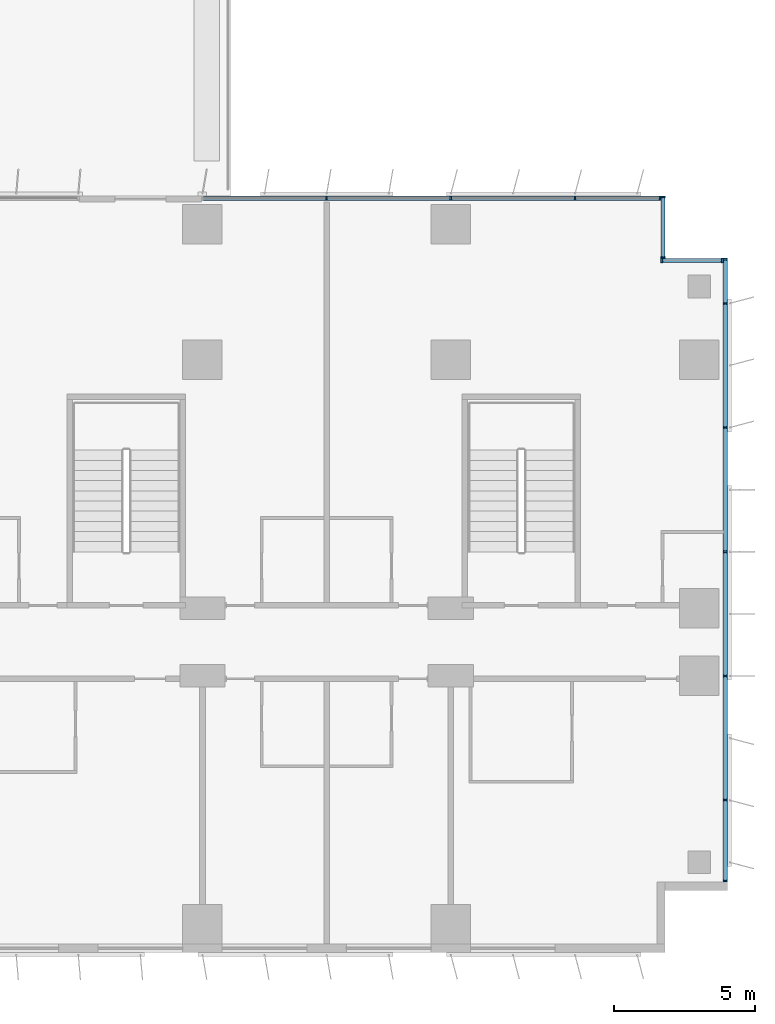
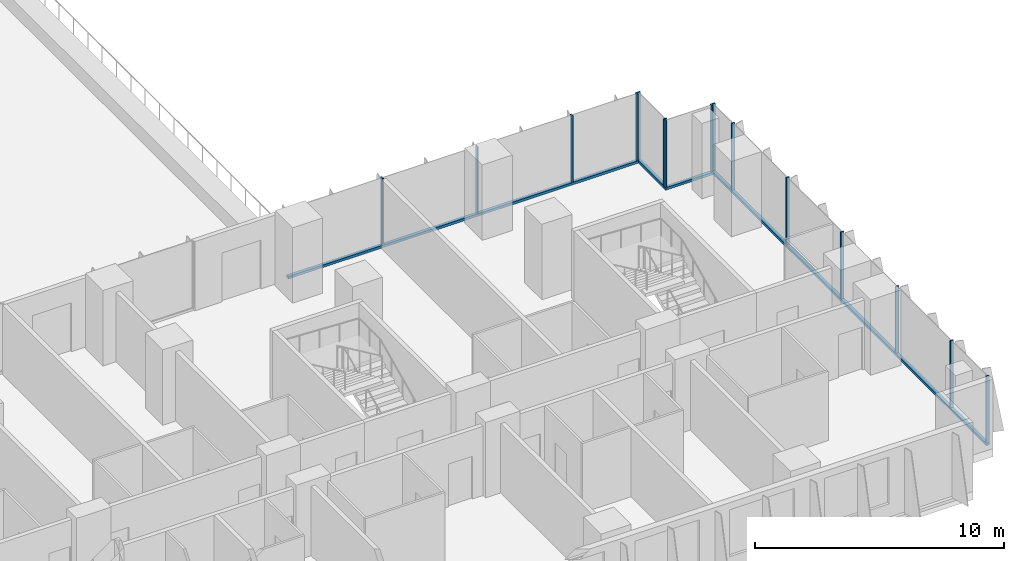
# One storey, part 5 of 23: 19 members, 4 elements without a shape of their own.
"""IFC4 building model written with IfcOpenShell, lengths in metres."""

import ifcopenshell
import ifcopenshell.guid

model = None  # the IFC model being written
_history = None  # IfcOwnerHistory: only IFC2X3 demands one
_inside = {}  # id of a spatial element -> (the spatial element, [elements in it])
_under = {}  # id of a project, library or spatial element -> (it, [spatial elements below it])
_declared = {}  # id of a project -> (the project, [libraries it declares])
_typed = {}  # id of a type object -> (the type object, [elements of that type])
_made_of = {}  # id of a material, layer set ... -> (it, [elements and type objects made of it])


def new_model(schema):
    """Start an empty IFC model of exactly this schema.

    Asked for "IFC4X3", IfcOpenShell would pick the latest addendum, in which some entities
    have other attributes; the version numbers below select the first issue.
    IFC2X3 requires an IfcOwnerHistory on every rooted entity: one is made here for all.
    """
    global model, _history
    if schema == "IFC4X3":
        model = ifcopenshell.file(schema_version=(4, 3, 0, 0))
    else:
        model = ifcopenshell.file(schema=schema)
    _inside.clear()
    _under.clear()
    _declared.clear()
    _typed.clear()
    _made_of.clear()
    _history = None
    if model.schema == "IFC2X3":
        org = make("IfcOrganization", Name="unknown")
        user = make(
            "IfcPersonAndOrganization",
            ThePerson=make("IfcPerson", FamilyName="unknown"),
            TheOrganization=org,
        )
        app = make(
            "IfcApplication",
            ApplicationDeveloper=org,
            Version="unknown",
            ApplicationFullName="unknown",
            ApplicationIdentifier="unknown",
        )
        _history = make(
            "IfcOwnerHistory",
            OwningUser=user,
            OwningApplication=app,
            ChangeAction="ADDED",
            CreationDate=0,
        )
    return model


def make(cls, **values):
    """One entity of the class cls with the attributes given. An attribute that is None is left unset."""
    return model.create_entity(
        cls, **{name: value for name, value in values.items() if value is not None}
    )


def rooted(cls, **values):
    """An entity with a GlobalId (a new one), such as an element, a storey or a relation."""
    return make(cls, GlobalId=ifcopenshell.guid.new(), OwnerHistory=_history, **values)


def si_unit(unit_type, name, prefix=None):
    """IfcSIUnit, for example si_unit("LENGTHUNIT", "METRE", prefix="MILLI")."""
    return make("IfcSIUnit", UnitType=unit_type, Prefix=prefix, Name=name)


def assignment(units):
    """IfcUnitAssignment: the units of a project."""
    return None if units is None else make("IfcUnitAssignment", Units=units)


def point(xyz):
    """IfcCartesianPoint."""
    return None if xyz is None else make("IfcCartesianPoint", Coordinates=xyz)


def direction(xyz):
    """IfcDirection."""
    return None if xyz is None else make("IfcDirection", DirectionRatios=xyz)


def frame(location, z_axis=None, x_axis=None):
    """IfcAxis2Placement3D, a coordinate frame: its origin and axes. An axis left out is left unset."""
    return make(
        "IfcAxis2Placement3D",
        Location=point(location),
        Axis=direction(z_axis),
        RefDirection=direction(x_axis),
    )


def frame_2d(location, x_axis=None):
    """IfcAxis2Placement2D, a coordinate frame in the plane: its origin and x axis."""
    return make(
        "IfcAxis2Placement2D", Location=point(location), RefDirection=direction(x_axis)
    )


def origin():
    """The frame at (0, 0, 0) with its axes left unset."""
    return frame((0.0, 0.0, 0.0))


def origin_2d():
    """The frame at (0, 0) in the plane with its x axis left unset."""
    return frame_2d((0.0, 0.0))


def place(relative_to, where):
    """IfcLocalPlacement: puts the frame where relative to a parent placement (None: the world)."""
    return make(
        "IfcLocalPlacement", PlacementRelTo=relative_to, RelativePlacement=where
    )


def context(
    kind, dimensions, precision=None, world=None, true_north=None, identifier=None
):
    """IfcGeometricRepresentationContext, for example the 3D "Model" context."""
    return make(
        "IfcGeometricRepresentationContext",
        ContextIdentifier=identifier,
        ContextType=kind,
        CoordinateSpaceDimension=dimensions,
        Precision=precision,
        WorldCoordinateSystem=world,
        TrueNorth=true_north,
    )


def subcontext(parent, identifier, kind, view, scale=None):
    """IfcGeometricRepresentationSubContext, for example "Body" below "Model"."""
    return make(
        "IfcGeometricRepresentationSubContext",
        ContextIdentifier=identifier,
        ContextType=kind,
        ParentContext=parent,
        TargetScale=scale,
        TargetView=view,
    )


def project(units=None, contexts=None):
    """IfcProject with its units and contexts."""
    return rooted(
        "IfcProject",
        Name="project",
        RepresentationContexts=contexts,
        UnitsInContext=assignment(units),
    )


def spatial(cls, under=None, at=None, **own):
    """A site, building, storey or space (cls), placed at a placement, below another one or the project."""
    s = rooted(cls, ObjectPlacement=at, **own)
    if under is not None:
        _under.setdefault(under.id(), (under, []))[1].append(s)
    return s


def profile(cls, at=None, kind="AREA", **sizes):
    """A parametric profile (cls). Its sizes go by their IFC names, for example OverallWidth=200.0."""
    return make(cls, ProfileType=kind, Position=at, **sizes)


def rectangle(**sizes):
    """IfcRectangleProfileDef."""
    return profile("IfcRectangleProfileDef", **sizes)


def extrude(swept, where, along, depth):
    """IfcExtrudedAreaSolid: the profile swept, set in the frame where, extruded along a direction by depth."""
    return make(
        "IfcExtrudedAreaSolid",
        SweptArea=swept,
        Position=where,
        ExtrudedDirection=direction(along),
        Depth=depth,
    )


def shape(context_of_items, identifier, shape_type, items):
    """IfcShapeRepresentation: the items that make up one representation, for example the "Body"."""
    return make(
        "IfcShapeRepresentation",
        ContextOfItems=context_of_items,
        RepresentationIdentifier=identifier,
        RepresentationType=shape_type,
        Items=items,
    )


def source(mapping_origin, context_of_items, identifier, shape_type, items):
    """IfcRepresentationMap: a shape defined once, which mapped items show again and again."""
    return make(
        "IfcRepresentationMap",
        MappingOrigin=mapping_origin,
        MappedRepresentation=shape(context_of_items, identifier, shape_type, items),
    )


def transform(
    local_origin,
    x_axis=None,
    y_axis=None,
    z_axis=None,
    scale=None,
    scale2=None,
    scale3=None,
    uniform=True,
):
    """IfcCartesianTransformationOperator3D, or its non-uniform kind. x_axis, y_axis, z_axis: its Axis1, 2, 3."""
    if uniform:
        return make(
            "IfcCartesianTransformationOperator3D",
            Axis1=direction(x_axis),
            Axis2=direction(y_axis),
            LocalOrigin=point(local_origin),
            Scale=scale,
            Axis3=direction(z_axis),
        )
    return make(
        "IfcCartesianTransformationOperator3DnonUniform",
        Axis1=direction(x_axis),
        Axis2=direction(y_axis),
        LocalOrigin=point(local_origin),
        Scale=scale,
        Axis3=direction(z_axis),
        Scale2=scale2,
        Scale3=scale3,
    )


def mapped(mapping_source, mapping_target):
    """IfcMappedItem: shows the shape of a source again, moved by a transform."""
    return make(
        "IfcMappedItem", MappingSource=mapping_source, MappingTarget=mapping_target
    )


def material(Name=None, Category=None):
    """IfcMaterial."""
    return make("IfcMaterial", Name=Name, Category=Category)


def material_profile(
    of_material, cross_section, Name=None, Category=None, Priority=None
):
    """IfcMaterialProfile: a cross section and its material."""
    return make(
        "IfcMaterialProfile",
        Name=Name,
        Material=of_material,
        Profile=cross_section,
        Priority=Priority,
        Category=Category,
    )


def profile_set(profiles, Name=None, composite=None):
    """IfcMaterialProfileSet."""
    return make(
        "IfcMaterialProfileSet",
        Name=Name,
        MaterialProfiles=profiles,
        CompositeProfile=composite,
    )


def made_of(thing, what):
    """Note that an element or type object is made of a material, layer set ...; save() writes the relation."""
    if what is not None:
        _made_of.setdefault(what.id(), (what, []))[1].append(thing)
    return thing


def type_object(cls, material=None, **own):
    """A type object (cls), such as IfcWallType, which elements share."""
    return made_of(rooted(cls, **own), material)


def element(
    cls,
    number,
    at=None,
    inside=None,
    cuts=None,
    type_object=None,
    material=None,
    context=None,
    identifier="Body",
    shape_type=None,
    held_by="IfcProductDefinitionShape",
    body=None,
    shapes=None,
    **own,
):
    """One element of the class cls, such as IfcWall. Its Tag is "e" and its number.

    at: its placement. inside: the storey or other place that contains it. cuts: it is an
    opening in that element (IfcRelVoidsElement). A single representation is given by context,
    identifier, shape_type and body (its items); several are given by shapes. held_by: the class
    of the entity that holds the representations. save() writes the other relations.
    """
    e = rooted(cls, Tag="e%d" % number, ObjectPlacement=at, **own)
    if body is not None:
        shapes = [shape(context, identifier, shape_type, body)]
    if shapes is not None:
        e.Representation = make(held_by, Representations=shapes)
    if inside is not None:
        _inside.setdefault(inside.id(), (inside, []))[1].append(e)
    if cuts is not None:
        rooted(
            "IfcRelVoidsElement", RelatingBuildingElement=cuts, RelatedOpeningElement=e
        )
    if type_object is not None:
        _typed.setdefault(type_object.id(), (type_object, []))[1].append(e)
    return made_of(e, material)


def aggregate(whole, parts):
    """IfcRelAggregates: a whole, such as a stair, and the parts it consists of."""
    return rooted("IfcRelAggregates", RelatingObject=whole, RelatedObjects=parts)


def save(model, path):
    """Write the relations noted so far, then the file.

    IfcRelAggregates (storeys below a building ...), IfcRelContainedInSpatialStructure (elements
    in a storey), IfcRelDefinesByType, IfcRelAssociatesMaterial and IfcRelDeclares: one each for
    every whole, place, type object, material and project.
    """
    for whole, parts in _under.values():
        aggregate(whole, parts)
    for where, things in _inside.values():
        rooted(
            "IfcRelContainedInSpatialStructure",
            RelatedElements=things,
            RelatingStructure=where,
        )
    for kind, things in _typed.values():
        rooted("IfcRelDefinesByType", RelatedObjects=things, RelatingType=kind)
    for what, things in _made_of.values():
        rooted("IfcRelAssociatesMaterial", RelatedObjects=things, RelatingMaterial=what)
    for by, libraries in _declared.values():
        rooted("IfcRelDeclares", RelatingContext=by, RelatedDefinitions=libraries)
    model.write(path)


model = new_model("IFC4")

# Units and contexts
model_context = context("Model", 3, precision=1e-05, world=origin(), true_north=direction((0.0, 1.0)))
body_context = subcontext(model_context, "Body", "Model", "MODEL_VIEW")
ifc_project = project(units=[si_unit("LENGTHUNIT", "METRE"), si_unit("AREAUNIT", "SQUARE_METRE"), si_unit("VOLUMEUNIT", "CUBIC_METRE"), si_unit("PLANEANGLEUNIT", "RADIAN"), si_unit("MASSUNIT", "GRAM", prefix="KILO")], contexts=[model_context])

# Site, building, storey
site_placement = place(None, origin())
site = spatial("IfcSite", under=ifc_project, at=site_placement, CompositionType="ELEMENT")
building_placement = place(site_placement, origin())
building = spatial("IfcBuilding", under=site, at=building_placement, Name="Kemantara Hotel Tower", CompositionType="ELEMENT")
storey_placement = place(building_placement, frame((0.0, 0.0, 34.0)))
storey = spatial("IfcBuildingStorey", under=building, at=storey_placement, Name="L06", CompositionType="ELEMENT", Elevation=34.0)

# Curtain wall, member
ifc_material_1 = material(Name="Toughened tinted glass 32 mm", Category="glass")
curtain_wall_type_1 = type_object("IfcCurtainWallType", Name="TERRACE GLAZING WALL", PredefinedType="USERDEFINED", material=ifc_material_1)
curtain_wall_1_placement = place(storey_placement, origin())
curtain_wall_1 = element("IfcCurtainWall", 1, at=curtain_wall_1_placement, inside=storey, type_object=curtain_wall_type_1, Name="CW6 L06 T1-R07-1", ObjectType="TERRACE GLAZING WALL", PredefinedType="USERDEFINED")
ifc_material_2 = material(Name="Aluminium 6063-T6 bronze anodised", Category="aluminium")
ifc_material_profile_1 = material_profile(ifc_material_2, rectangle(XDim=0.14990234375, YDim=0.1201171875, at=origin_2d()), Name="TERRACE GLAZING WALL TRANSOM")
ifc_profile_set_1 = profile_set([ifc_material_profile_1], Name="Aluminium 6063-T6 bronze anodised")
member_type_1 = type_object("IfcMemberType", Name="TERRACE GLAZING WALL TRANSOM", PredefinedType="USERDEFINED", material=ifc_profile_set_1)
member_1_placement = place(storey_placement, frame((78.85009765625, 26.72509765625, 0.06005859375), z_axis=(-1.0, 0.0, 0.0), x_axis=(0.0, -1.0, 0.0)))
member_1 = element("IfcMember", 2, at=member_1_placement, type_object=member_type_1, Name="CW6 sill transom T1-R07-1", ObjectType="TRANSOM", PredefinedType="USERDEFINED", context=body_context, shape_type="SweptSolid", body=[
    extrude(rectangle(XDim=0.14990234375, YDim=0.1201171875, at=origin_2d()), origin(), (0.0, 0.0, 1.0), 16.25),
])

ifc_material_3 = material(Name="Low-E tinted double insulated glass 36 mm", Category="glass")
curtain_wall_type_2 = type_object("IfcCurtainWallType", Name="TOWER CURTAIN WALL, FRONT FACES", PredefinedType="USERDEFINED", material=ifc_material_3)
curtain_wall_2_placement = place(storey_placement, origin())
curtain_wall_2 = element("IfcCurtainWall", 3, at=curtain_wall_2_placement, inside=storey, type_object=curtain_wall_type_2, Name="CW4 L06 T1-R04-1", ObjectType="TOWER CURTAIN WALL, FRONT FACES", PredefinedType="USERDEFINED")
ifc_material_profile_2 = material_profile(ifc_material_2, rectangle(XDim=0.14990234375, YDim=0.1201171875, at=origin_2d()), Name="TOWER CURTAIN WALL, FRONT FACES TRANSOM")
ifc_profile_set_2 = profile_set([ifc_material_profile_2], Name="Aluminium 6063-T6 bronze anodised")
member_type_2 = type_object("IfcMemberType", Name="TOWER CURTAIN WALL, FRONT FACES TRANSOM", PredefinedType="USERDEFINED", material=ifc_profile_set_2)
member_2_placement = place(storey_placement, frame((81.125, 2.5, 0.06005859375), z_axis=(0.0, 1.0, 0.0), x_axis=(-1.0, 0.0, 0.0)))
member_2 = element("IfcMember", 4, at=member_2_placement, type_object=member_type_2, Name="CW4 sill transom T1-R04-1", ObjectType="TRANSOM", PredefinedType="USERDEFINED", context=body_context, shape_type="SweptSolid", body=[
    extrude(rectangle(XDim=0.14990234375, YDim=0.1201171875, at=origin_2d()), origin(), (0.0, 0.0, 1.0), 22.10009765625),
])

curtain_wall_3_placement = place(storey_placement, origin())
curtain_wall_3 = element("IfcCurtainWall", 5, at=curtain_wall_3_placement, inside=storey, type_object=curtain_wall_type_2, Name="CW4 L06 T1-R05-1", ObjectType="TOWER CURTAIN WALL, FRONT FACES", PredefinedType="USERDEFINED")
member_3_placement = place(storey_placement, frame((81.050048828125, 24.52490234375, 0.06005859375), z_axis=(-1.0, 0.0, 0.0), x_axis=(0.0, -1.0, 0.0)))
member_3 = element("IfcMember", 6, at=member_3_placement, type_object=member_type_2, Name="CW4 sill transom T1-R05-1", ObjectType="TRANSOM", PredefinedType="USERDEFINED", context=body_context, shape_type="SweptSolid", body=[
    extrude(rectangle(XDim=0.14990234375, YDim=0.1201171875, at=origin_2d()), origin(), (0.0, 0.0, 1.0), 2.199951171875),
])

curtain_wall_4_placement = place(storey_placement, origin())
curtain_wall_4 = element("IfcCurtainWall", 7, at=curtain_wall_4_placement, inside=storey, type_object=curtain_wall_type_2, Name="CW4 L06 T1-R06-1", ObjectType="TOWER CURTAIN WALL, FRONT FACES", PredefinedType="USERDEFINED")
member_4_placement = place(storey_placement, frame((78.925048828125, 24.60009765625, 0.06005859375), z_axis=(0.0, 1.0, 0.0), x_axis=(-1.0, 0.0, 0.0)))
member_4 = element("IfcMember", 8, at=member_4_placement, type_object=member_type_2, Name="CW4 sill transom T1-R06-1", ObjectType="TRANSOM", PredefinedType="USERDEFINED", context=body_context, shape_type="SweptSolid", body=[
    extrude(rectangle(XDim=0.14990234375, YDim=0.1201171875, at=origin_2d()), origin(), (0.0, 0.0, 1.0), 2.199951171875),
])

# Member
ifc_material_profile_3 = material_profile(ifc_material_2, rectangle(XDim=0.14990234375, YDim=0.06005859375, at=origin_2d()), Name="TOWER CURTAIN WALL, FRONT FACES MULLION")
ifc_profile_set_3 = profile_set([ifc_material_profile_3], Name="Aluminium 6063-T6 bronze anodised")
member_type_3 = type_object("IfcMemberType", Name="TOWER CURTAIN WALL, FRONT FACES MULLION", PredefinedType="MULLION", material=ifc_profile_set_3)
shared_shape_1 = source(origin(), body_context, "Body", "SweptSolid", [
    extrude(rectangle(XDim=0.14990234375, YDim=0.06005859375, at=origin_2d()), origin(), (0.0, 0.0, 1.0), 3.27978515625),
])
member_5_placement = place(storey_placement, frame((81.125, 2.530029296875, 0.1201171875), z_axis=(0.0, 0.0, 1.0), x_axis=(-1.0, 0.0, 0.0)))
member_5 = element("IfcMember", 9, at=member_5_placement, type_object=member_type_3, Name="CW4 mullion T1-R04-1.1", PredefinedType="MULLION", context=body_context, shape_type="MappedRepresentation", body=[
    mapped(shared_shape_1, transform((0.0, 0.0, 0.0))),
])

member_6_placement = place(storey_placement, frame((81.125, 5.39990234375, 0.1201171875), z_axis=(0.0, 0.0, 1.0), x_axis=(-1.0, 0.0, 0.0)))
member_6 = element("IfcMember", 10, at=member_6_placement, type_object=member_type_3, Name="CW4 mullion T1-R04-1.2", PredefinedType="MULLION", context=body_context, shape_type="MappedRepresentation", body=[
    mapped(shared_shape_1, transform((0.0, 0.0, 0.0))),
])

member_7_placement = place(storey_placement, frame((81.125, 9.800048828125, 0.1201171875), z_axis=(0.0, 0.0, 1.0), x_axis=(-1.0, 0.0, 0.0)))
member_7 = element("IfcMember", 11, at=member_7_placement, type_object=member_type_3, Name="CW4 mullion T1-R04-1.3", PredefinedType="MULLION", context=body_context, shape_type="MappedRepresentation", body=[
    mapped(shared_shape_1, transform((0.0, 0.0, 0.0))),
])

member_8_placement = place(storey_placement, frame((81.125, 14.199951171875, 0.1201171875), z_axis=(0.0, 0.0, 1.0), x_axis=(-1.0, 0.0, 0.0)))
member_8 = element("IfcMember", 12, at=member_8_placement, type_object=member_type_3, Name="CW4 mullion T1-R04-1.4", PredefinedType="MULLION", context=body_context, shape_type="MappedRepresentation", body=[
    mapped(shared_shape_1, transform((0.0, 0.0, 0.0))),
])

member_9_placement = place(storey_placement, frame((81.125, 18.60009765625, 0.1201171875), z_axis=(0.0, 0.0, 1.0), x_axis=(-1.0, 0.0, 0.0)))
member_9 = element("IfcMember", 13, at=member_9_placement, type_object=member_type_3, Name="CW4 mullion T1-R04-1.5", PredefinedType="MULLION", context=body_context, shape_type="MappedRepresentation", body=[
    mapped(shared_shape_1, transform((0.0, 0.0, 0.0))),
])

member_10_placement = place(storey_placement, frame((81.125, 23.0, 0.1201171875), z_axis=(0.0, 0.0, 1.0), x_axis=(-1.0, 0.0, 0.0)))
member_10 = element("IfcMember", 14, at=member_10_placement, type_object=member_type_3, Name="CW4 mullion T1-R04-1.6", PredefinedType="MULLION", context=body_context, shape_type="MappedRepresentation", body=[
    mapped(shared_shape_1, transform((0.0, 0.0, 0.0))),
])

member_11_placement = place(storey_placement, frame((81.125, 24.570068359375, 0.1201171875), z_axis=(0.0, 0.0, 1.0), x_axis=(-1.0, 0.0, 0.0)))
member_11 = element("IfcMember", 15, at=member_11_placement, type_object=member_type_3, Name="CW4 mullion T1-R04-1.7", PredefinedType="MULLION", context=body_context, shape_type="MappedRepresentation", body=[
    mapped(shared_shape_1, transform((0.0, 0.0, 0.0))),
])

aggregate(curtain_wall_2, [member_2, member_5, member_6, member_7, member_8, member_9, member_10, member_11])

member_12_placement = place(storey_placement, frame((81.02001953125, 24.52490234375, 0.1201171875), z_axis=(0.0, 0.0, 1.0), x_axis=(0.0, -1.0, 0.0)))
member_12 = element("IfcMember", 16, at=member_12_placement, type_object=member_type_3, Name="CW4 mullion T1-R05-1.1", PredefinedType="MULLION", context=body_context, shape_type="MappedRepresentation", body=[
    mapped(shared_shape_1, transform((0.0, 0.0, 0.0))),
])

member_13_placement = place(storey_placement, frame((78.8798828125, 24.52490234375, 0.1201171875), z_axis=(0.0, 0.0, 1.0), x_axis=(0.0, -1.0, 0.0)))
member_13 = element("IfcMember", 17, at=member_13_placement, type_object=member_type_3, Name="CW4 mullion T1-R05-1.2", PredefinedType="MULLION", context=body_context, shape_type="MappedRepresentation", body=[
    mapped(shared_shape_1, transform((0.0, 0.0, 0.0))),
])

aggregate(curtain_wall_3, [member_3, member_12, member_13])

member_14_placement = place(storey_placement, frame((78.925048828125, 24.6298828125, 0.1201171875), z_axis=(0.0, 0.0, 1.0), x_axis=(-1.0, 0.0, 0.0)))
member_14 = element("IfcMember", 18, at=member_14_placement, type_object=member_type_3, Name="CW4 mullion T1-R06-1.1", PredefinedType="MULLION", context=body_context, shape_type="MappedRepresentation", body=[
    mapped(shared_shape_1, transform((0.0, 0.0, 0.0))),
])

member_15_placement = place(storey_placement, frame((78.925048828125, 26.77001953125, 0.1201171875), z_axis=(0.0, 0.0, 1.0), x_axis=(-1.0, 0.0, 0.0)))
member_15 = element("IfcMember", 19, at=member_15_placement, type_object=member_type_3, Name="CW4 mullion T1-R06-1.2", PredefinedType="MULLION", context=body_context, shape_type="MappedRepresentation", body=[
    mapped(shared_shape_1, transform((0.0, 0.0, 0.0))),
])

aggregate(curtain_wall_4, [member_4, member_14, member_15])

ifc_material_profile_4 = material_profile(ifc_material_2, rectangle(XDim=0.14990234375, YDim=0.06005859375, at=origin_2d()), Name="TERRACE GLAZING WALL MULLION")
ifc_profile_set_4 = profile_set([ifc_material_profile_4], Name="Aluminium 6063-T6 bronze anodised")
member_type_4 = type_object("IfcMemberType", Name="TERRACE GLAZING WALL MULLION", PredefinedType="MULLION", material=ifc_profile_set_4)
shared_shape_2 = source(origin(), body_context, "Body", "SweptSolid", [
    extrude(rectangle(XDim=0.14990234375, YDim=0.06005859375, at=origin_2d()), origin(), (0.0, 0.0, 1.0), 3.27978515625),
])
member_16_placement = place(storey_placement, frame((78.820068359375, 26.72509765625, 0.1201171875), z_axis=(0.0, 0.0, 1.0), x_axis=(0.0, -1.0, 0.0)))
member_16 = element("IfcMember", 20, at=member_16_placement, type_object=member_type_4, Name="CW6 mullion T1-R07-1.1", PredefinedType="MULLION", context=body_context, shape_type="MappedRepresentation", body=[
    mapped(shared_shape_2, transform((0.0, 0.0, 0.0))),
])

member_17_placement = place(storey_placement, frame((75.800048828125, 26.72509765625, 0.1201171875), z_axis=(0.0, 0.0, 1.0), x_axis=(0.0, -1.0, 0.0)))
member_17 = element("IfcMember", 21, at=member_17_placement, type_object=member_type_4, Name="CW6 mullion T1-R07-1.2", PredefinedType="MULLION", context=body_context, shape_type="MappedRepresentation", body=[
    mapped(shared_shape_2, transform((0.0, 0.0, 0.0))),
])

member_18_placement = place(storey_placement, frame((71.39990234375, 26.72509765625, 0.1201171875), z_axis=(0.0, 0.0, 1.0), x_axis=(0.0, -1.0, 0.0)))
member_18 = element("IfcMember", 22, at=member_18_placement, type_object=member_type_4, Name="CW6 mullion T1-R07-1.3", PredefinedType="MULLION", context=body_context, shape_type="MappedRepresentation", body=[
    mapped(shared_shape_2, transform((0.0, 0.0, 0.0))),
])

member_19_placement = place(storey_placement, frame((67.0, 26.72509765625, 0.1201171875), z_axis=(0.0, 0.0, 1.0), x_axis=(0.0, -1.0, 0.0)))
member_19 = element("IfcMember", 23, at=member_19_placement, type_object=member_type_4, Name="CW6 mullion T1-R07-1.4", PredefinedType="MULLION", context=body_context, shape_type="MappedRepresentation", body=[
    mapped(shared_shape_2, transform((0.0, 0.0, 0.0))),
])

aggregate(curtain_wall_1, [member_1, member_16, member_17, member_18, member_19])

save(model, "model.ifc")
